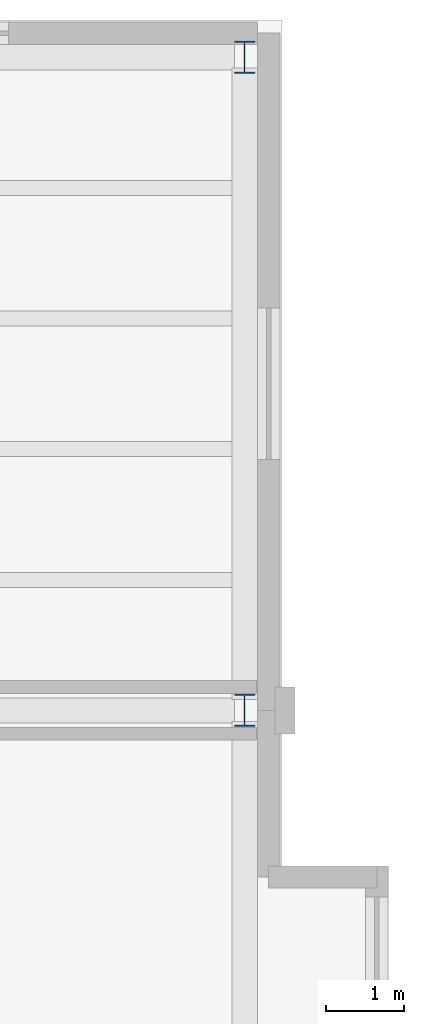
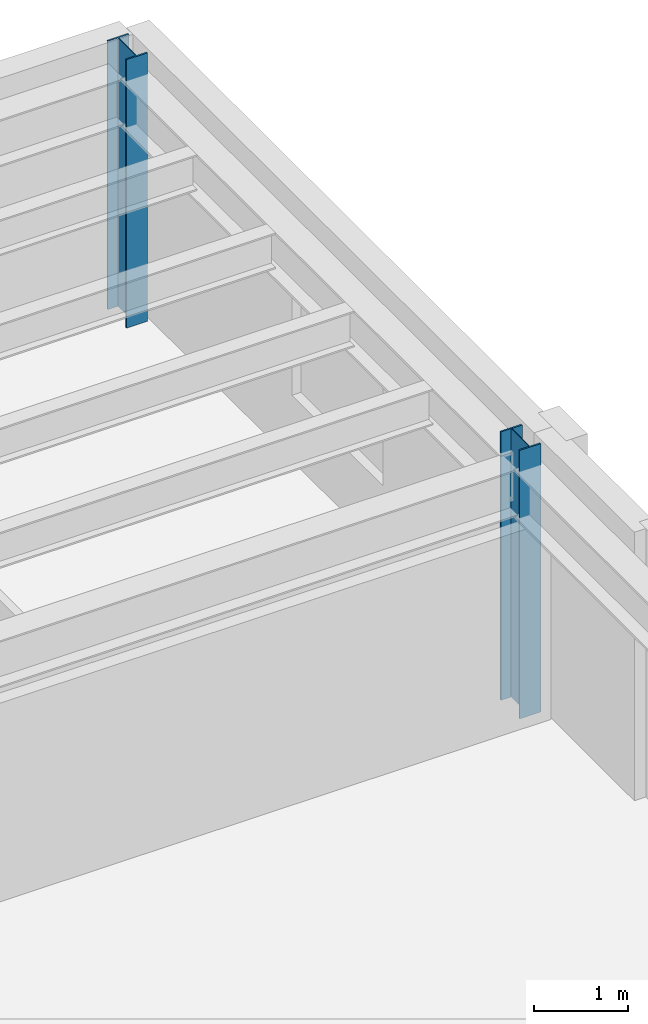
# One storey, part 5 of 23: 2 columns.
"""IFC4 building model written with IfcOpenShell, lengths in metres."""

from ifc_helpers import new_model, si_unit, direction, frame, origin, origin_2d, place, context, subcontext, project, spatial, i_section, extrude, material, material_profile, profile_set, type_object, element, save


model = new_model("IFC4")

# Units and contexts
model_context = context("Model", 3, precision=1e-05, world=origin(), true_north=direction((0.0, 1.0)))
body_context = subcontext(model_context, "Body", "Model", "MODEL_VIEW")
ifc_project = project(units=[si_unit("LENGTHUNIT", "METRE"), si_unit("AREAUNIT", "SQUARE_METRE"), si_unit("VOLUMEUNIT", "CUBIC_METRE"), si_unit("PLANEANGLEUNIT", "RADIAN"), si_unit("MASSUNIT", "GRAM", prefix="KILO")], contexts=[model_context])

# Site, building, storey
site_placement = place(None, origin())
site = spatial("IfcSite", under=ifc_project, at=site_placement, CompositionType="ELEMENT")
building_placement = place(site_placement, origin())
building = spatial("IfcBuilding", under=site, at=building_placement, Name="Sollismere Congress Hotel", CompositionType="ELEMENT")
storey_placement = place(building_placement, frame((0.0, 0.0, 30.60009765625)))
storey = spatial("IfcBuildingStorey", under=building, at=storey_placement, Name="L07", CompositionType="ELEMENT", Elevation=30.60009765625)

# Columns
ifc_material = material(Name="Steel ASTM A992 Grade 50", Category="steel")
ifc_material_profile = material_profile(ifc_material, i_section(OverallWidth=0.261962890625, OverallDepth=0.4189453125, WebThickness=0.01171875, FlangeThickness=0.019287109375, at=origin_2d()), Name="W16X77")
ifc_profile_set = profile_set([ifc_material_profile], Name="Steel ASTM A992 Grade 50")
column_type = type_object("IfcColumnType", Name="COL-W16", PredefinedType="COLUMN", material=ifc_profile_set)
for number, where, z_axis, x_axis, name in (
    (1, (166.0, 58.39990234375, 0.0), (0.0, 0.0, 1.0), (1.0, 0.0, 0.0), "Column CL-L07-1042"),
    (2, (166.0, 66.800048828125, 0.0), (0.0, 0.0, 1.0), (1.0, 0.0, 0.0), "Column CL-L07-1051"),
):
    element("IfcColumn", number, at=place(storey_placement, frame(where, z_axis=z_axis, x_axis=x_axis)), inside=storey, type_object=column_type, Name=name, PredefinedType="COLUMN", context=body_context, shape_type="SweptSolid", body=[
        extrude(i_section(OverallWidth=0.261962890625, OverallDepth=0.4189453125, WebThickness=0.01171875, FlangeThickness=0.019287109375, at=origin_2d()), origin(), (0.0, 0.0, 1.0), 3.5),
    ])

save(model, "model.ifc")
